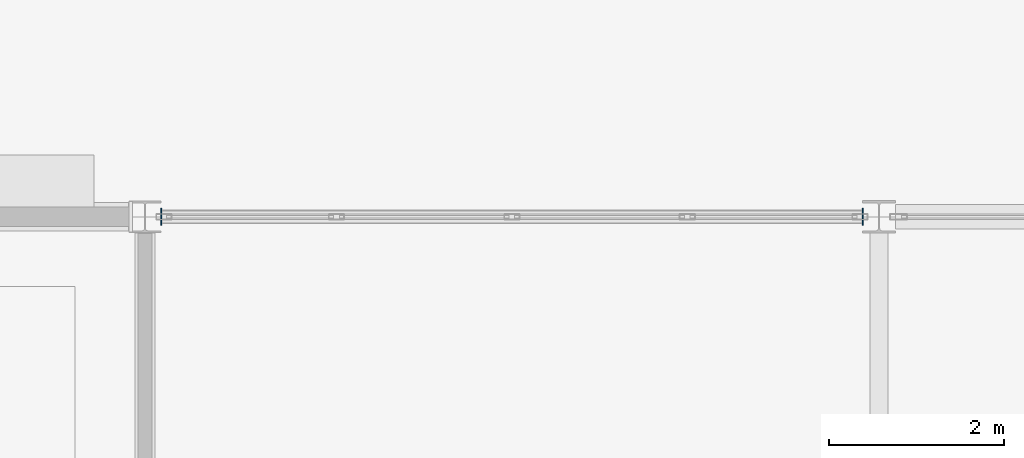
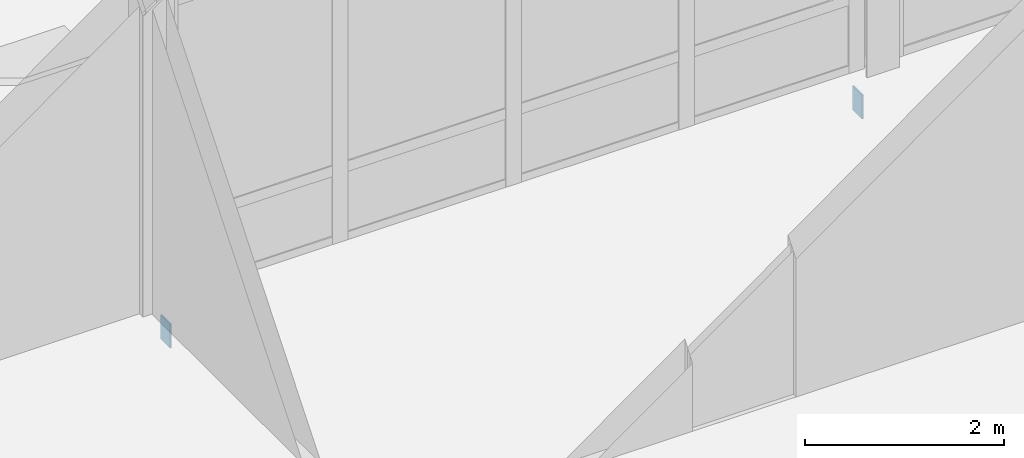
# One storey, part 175 of 229: 2 plates.
"""IFC4 building model written with IfcOpenShell, lengths in metres."""

from ifc_helpers import new_model, si_unit, direction, frame, origin, origin_2d, place, context, subcontext, project, spatial, rectangle, extrude, material, layer, layer_set, type_object, element, save


model = new_model("IFC4")

# Units and contexts
model_context = context("Model", 3, precision=1e-05, world=origin(), true_north=direction((0.0, 1.0)))
body_context = subcontext(model_context, "Body", "Model", "MODEL_VIEW")
ifc_project = project(units=[si_unit("LENGTHUNIT", "METRE"), si_unit("AREAUNIT", "SQUARE_METRE"), si_unit("VOLUMEUNIT", "CUBIC_METRE"), si_unit("PLANEANGLEUNIT", "RADIAN"), si_unit("MASSUNIT", "GRAM", prefix="KILO")], contexts=[model_context])

# Site, building, storey
site_placement = place(None, origin())
site = spatial("IfcSite", under=ifc_project, at=site_placement, CompositionType="ELEMENT")
building_placement = place(site_placement, origin())
building = spatial("IfcBuilding", under=site, at=building_placement, Name="Calvrana Isthmian Art Gallery", CompositionType="ELEMENT")
storey_placement = place(building_placement, origin())
storey = spatial("IfcBuildingStorey", under=building, at=storey_placement, Name="L00", CompositionType="ELEMENT", Elevation=0.0)

# Plates
ifc_material = material(Name="Steel ASTM A572 Gr 50", Category="steel")
ifc_layer = layer(ifc_material, 0.01611328125, Name="Steel ASTM A572 Gr 50")
ifc_layer_set = layer_set([ifc_layer], Name="Steel ASTM A572 Gr 50")
plate_type = type_object("IfcPlateType", Name="PL-CAP-16", PredefinedType="SHEET", material=ifc_layer_set)
for number, where, z_axis, x_axis, name in (
    (1, (72.1865234375, 62.0, -0.55908203125), (0.0, 0.0, 1.0), (1.0, 0.0, 0.0), "Hollow section end cap plate 391"),
    (2, (80.21337890625, 62.0, -0.55908203125), (0.0, 0.0, 1.0), (1.0, 0.0, 0.0), "Hollow section end cap plate 392"),
):
    element("IfcPlate", number, at=place(storey_placement, frame(where, z_axis=z_axis, x_axis=x_axis)), inside=storey, type_object=plate_type, Name=name, PredefinedType="SHEET", context=body_context, shape_type="SweptSolid", body=[
        extrude(rectangle(XDim=0.01611328125, YDim=0.1923828125, at=origin_2d()), origin(), (0.0, 0.0, 1.0), 0.2939453125),
    ])

save(model, "model.ifc")
